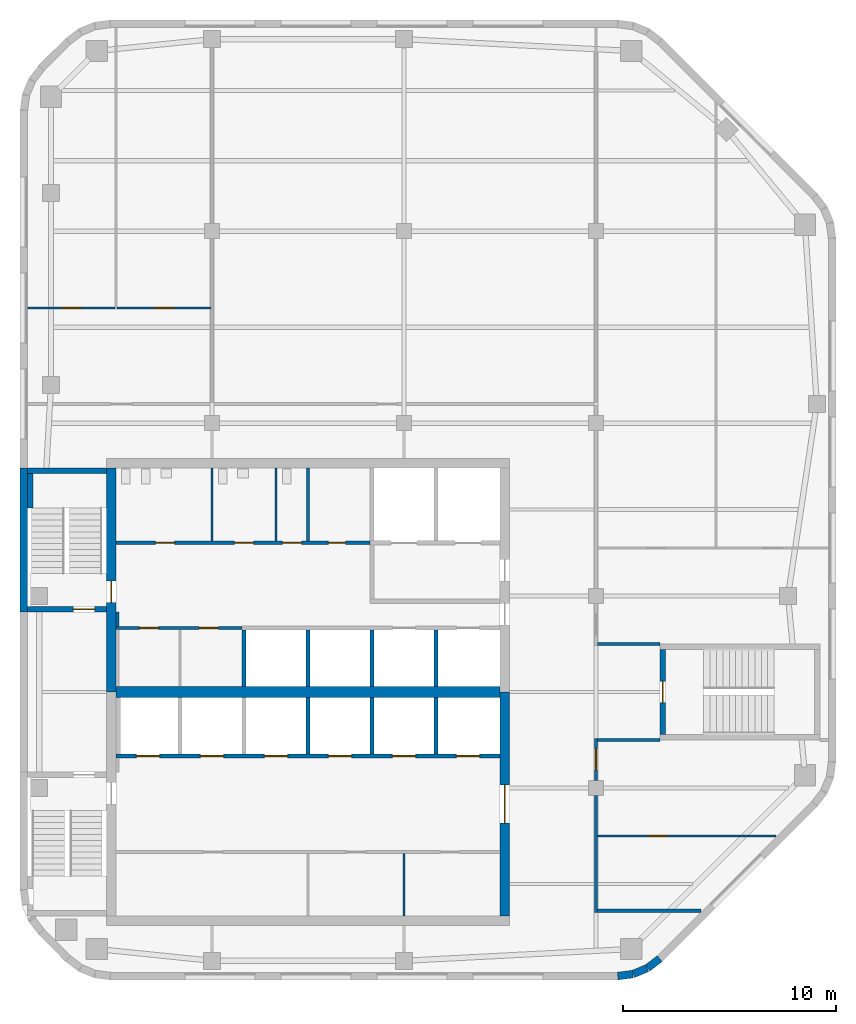
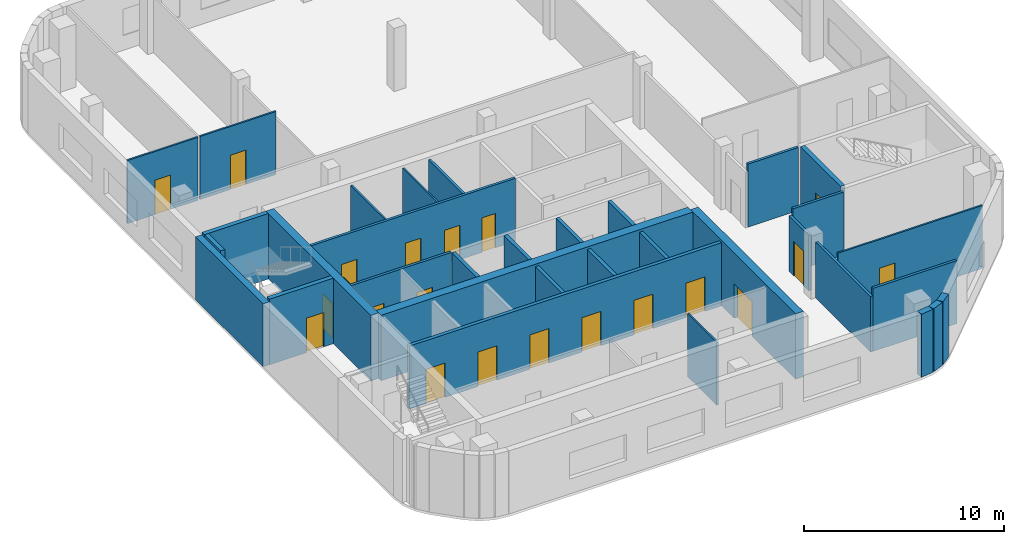
# One storey, part 3 of 7: 34 walls, 20 doors, 20 openings.
"""IFC4 building model written with IfcOpenShell, lengths in metres."""

from ifc_helpers import new_model, si_unit, direction, frame, frame_2d, origin, place, context, subcontext, project, spatial, rectangle, extrude, material, layer, layer_set, type_object, element, fill, save


model = new_model("IFC4")

# Units and contexts
model_context = context("Model", 3, precision=1e-05, world=origin(), true_north=direction((0.0, 1.0)))
body_context = subcontext(model_context, "Body", "Model", "MODEL_VIEW")
ifc_project = project(units=[si_unit("LENGTHUNIT", "METRE"), si_unit("AREAUNIT", "SQUARE_METRE"), si_unit("VOLUMEUNIT", "CUBIC_METRE"), si_unit("PLANEANGLEUNIT", "RADIAN"), si_unit("MASSUNIT", "GRAM", prefix="KILO")], contexts=[model_context])

# Site, building, storey
site_placement = place(None, origin())
site = spatial("IfcSite", under=ifc_project, at=site_placement, CompositionType="ELEMENT")
building_placement = place(site_placement, origin())
building = spatial("IfcBuilding", under=site, at=building_placement, Name="Cinnabar Reach Civic Tower", CompositionType="ELEMENT")
storey_placement = place(building_placement, frame((0.0, 0.0, 275.0)))
storey = spatial("IfcBuildingStorey", under=building, at=storey_placement, Name="L66", CompositionType="ELEMENT", Elevation=275.0)

# Walls
ifc_material_1 = material(Name="Facing brick with insulated backing", Category="masonry")
ifc_layer_1 = layer(ifc_material_1, 0.36)
ifc_layer_set_1 = layer_set([ifc_layer_1], Name="Brick corner wall")
wall_type_1 = type_object("IfcWallType", Name="Brick corner wall", PredefinedType="STANDARD", material=ifc_layer_set_1)
for number, where, z_axis, x_axis, name in (
    (1, (28.0186, 18.183, 0.0), (0.0, 0.0, 1.0), (0.99144092581, 0.13055608231, 0.0), "Brick corner wall"),
    (2, (28.7473, 18.2819, 0.0), (0.0, 0.0, 1.0), (0.923871547278, 0.382702709855, 0.0), "Brick corner wall"),
):
    element("IfcWall", number, at=place(storey_placement, frame(where, z_axis=z_axis, x_axis=x_axis)), inside=storey, type_object=wall_type_1, Name=name, PredefinedType="STANDARD", context=body_context, shape_type="SweptSolid", body=[
        extrude(rectangle(XDim=0.7131, YDim=0.36, at=frame_2d((0.3565, 0.0))), origin(), (0.0, 0.0, 1.0), 3.85),
    ])
wall_1_placement = place(storey_placement, frame((29.4255, 18.566, 0.0), z_axis=(0.0, 0.0, 1.0), x_axis=(0.793321924995, 0.608802368033, 0.0)))
element("IfcWall", 3, at=wall_1_placement, inside=storey, type_object=wall_type_1, Name="Brick corner wall", PredefinedType="STANDARD", context=body_context, shape_type="SweptSolid", body=[
    extrude(rectangle(XDim=0.7132, YDim=0.36, at=frame_2d((0.3566, 0.0))), origin(), (0.0, 0.0, 1.0), 3.85),
])
ifc_layer_2 = layer(ifc_material_1, 0.36)
ifc_layer_set_2 = layer_set([ifc_layer_2], Name="Brick pier and spandrel wall")
wall_type_2 = type_object("IfcWallType", Name="Brick pier and spandrel wall", PredefinedType="STANDARD", material=ifc_layer_set_2)
wall_2_placement = place(storey_placement, frame((0.18, 42.0, 0.0), z_axis=(0.0, 0.0, 1.0), x_axis=(0.0, -1.0, 0.0)))
element("IfcWall", 4, at=wall_2_placement, inside=storey, type_object=wall_type_2, Name="Brick facade wall", PredefinedType="STANDARD", context=body_context, shape_type="SweptSolid", body=[
    extrude(rectangle(XDim=6.75, YDim=0.36, at=frame_2d((3.375, 0.0))), origin(), (0.0, 0.0, 1.0), 3.85),
])

# Wall, opening, door
ifc_material_2 = material(Name="Concrete C60", Category="concrete")
ifc_layer_3 = layer(ifc_material_2, 0.45)
ifc_layer_set_3 = layer_set([ifc_layer_3], Name="Core wall 450 EI 180")
wall_type_3 = type_object("IfcWallType", Name="Core wall 450 EI 180", PredefinedType="SOLIDWALL", material=ifc_layer_set_3)
wall_3_placement = place(storey_placement, frame((22.725, 21.0, 0.0), z_axis=(0.0, 0.0, 1.0), x_axis=(0.0, 1.0, 0.0)))
wall_3 = element("IfcWall", 5, at=wall_3_placement, inside=storey, type_object=wall_type_3, Name="Core wall T1 L66 E", PredefinedType="SOLIDWALL", context=body_context, shape_type="SweptSolid", body=[
    extrude(rectangle(XDim=10.5, YDim=0.45, at=frame_2d((5.25, 0.0))), origin(), (0.0, 0.0, 1.0), 4.0),
])
opening_1_placement = place(wall_3_placement, frame((4.35, 0.0, 0.0)))
opening_1 = element("IfcOpeningElement", 6, at=opening_1_placement, cuts=wall_3, Name="Opening D5634", PredefinedType="OPENING", context=body_context, shape_type="SweptSolid", body=[
    extrude(rectangle(XDim=1.8, YDim=2.1, at=frame_2d((0.9, 1.05))), frame((0.0, 0.235, 0.0), z_axis=(0.0, -1.0, 0.0), x_axis=(1.0, 0.0, 0.0)), (0.0, 0.0, 1.0), 0.47),
])
ifc_material_3 = material(Name="Timber door leaf in steel frame", Category="steel")
door_type_1 = type_object("IfcDoorType", Name="Double swing door 1800 x 2100 T1", OperationType="DOUBLE_DOOR_DOUBLE_SWING", PredefinedType="DOOR", material=ifc_material_3)
door_1_placement = place(opening_1_placement, origin())
door_1 = element("IfcDoor", 7, at=door_1_placement, inside=storey, type_object=door_type_1, Name="Door D5634", OperationType="DOUBLE_DOOR_DOUBLE_SWING", OverallHeight=2.1, OverallWidth=1.8, PredefinedType="DOOR", context=body_context, shape_type="SweptSolid", body=[
    extrude(rectangle(XDim=1.8, YDim=2.1, at=frame_2d((0.9, 1.05))), frame((0.0, 0.025, 0.0), z_axis=(0.0, -1.0, 0.0), x_axis=(1.0, 0.0, 0.0)), (0.0, 0.0, 1.0), 0.05),
])
fill(opening_1, door_1)

wall_4_placement = place(storey_placement, frame((4.275, 42.0, 0.0), z_axis=(0.0, 0.0, 1.0), x_axis=(0.0, -1.0, 0.0)))
wall_4 = element("IfcWall", 8, at=wall_4_placement, inside=storey, type_object=wall_type_3, Name="Core wall T1 L66 W", PredefinedType="SOLIDWALL", context=body_context, shape_type="SweptSolid", body=[
    extrude(rectangle(XDim=10.5, YDim=0.45, at=frame_2d((5.25, 0.0))), origin(), (0.0, 0.0, 1.0), 4.0),
])
opening_2_placement = place(wall_4_placement, frame((5.3, 0.0, 0.0)))
opening_2 = element("IfcOpeningElement", 9, at=opening_2_placement, cuts=wall_4, Name="Opening D5622", PredefinedType="OPENING", context=body_context, shape_type="SweptSolid", body=[
    extrude(rectangle(XDim=1.0, YDim=2.1, at=frame_2d((0.5, 1.05))), frame((0.0, 0.235, 0.0), z_axis=(0.0, -1.0, 0.0), x_axis=(1.0, 0.0, 0.0)), (0.0, 0.0, 1.0), 0.47),
])
door_type_2 = type_object("IfcDoorType", Name="Stair door 1000 x 2100 T1", OperationType="SINGLE_SWING_LEFT", PredefinedType="DOOR", material=ifc_material_3)
door_2_placement = place(opening_2_placement, frame((1.0, 0.0, 0.0), z_axis=(0.0, 0.0, 1.0), x_axis=(-1.0, 0.0, 0.0)))
door_2 = element("IfcDoor", 10, at=door_2_placement, inside=storey, type_object=door_type_2, Name="Door D5622", OperationType="SINGLE_SWING_LEFT", OverallHeight=2.1, OverallWidth=1.0, PredefinedType="DOOR", context=body_context, shape_type="SweptSolid", body=[
    extrude(rectangle(XDim=1.0, YDim=2.1, at=frame_2d((0.5, 1.05))), frame((0.0, 0.025, 0.0), z_axis=(0.0, -1.0, 0.0), x_axis=(1.0, 0.0, 0.0)), (0.0, 0.0, 1.0), 0.05),
])
fill(opening_2, door_2)

# Wall
ifc_layer_4 = layer(ifc_material_2, 0.5)
ifc_layer_set_4 = layer_set([ifc_layer_4], Name="Core wall 500 EI 180")
wall_type_4 = type_object("IfcWallType", Name="Core wall 500 EI 180", PredefinedType="SOLIDWALL", material=ifc_layer_set_4)
wall_5_placement = place(storey_placement, frame((4.5, 31.5, 0.0), z_axis=(0.0, 0.0, 1.0), x_axis=(1.0, 0.0, 0.0)))
element("IfcWall", 11, at=wall_5_placement, inside=storey, type_object=wall_type_4, Name="Core spine wall T1 L66", PredefinedType="SOLIDWALL", context=body_context, shape_type="SweptSolid", body=[
    extrude(rectangle(XDim=18.0, YDim=0.5, at=frame_2d((9.0, 0.0))), origin(), (0.0, 0.0, 1.0), 4.0),
])

# Wall, openings, doors
ifc_material_4 = material(Name="Gypsum board on steel studs, double layer", Category="steel")
ifc_layer_5 = layer(ifc_material_4, 0.15)
ifc_layer_set_5 = layer_set([ifc_layer_5], Name="Corridor wall 150 T1")
wall_type_5 = type_object("IfcWallType", Name="Corridor wall 150 T1", PredefinedType="PARTITIONING", material=ifc_layer_set_5)
wall_6_placement = place(storey_placement, frame((4.5, 38.5, 0.0), z_axis=(0.0, 0.0, 1.0), x_axis=(1.0, 0.0, 0.0)))
wall_6 = element("IfcWall", 12, at=wall_6_placement, inside=storey, type_object=wall_type_5, Name="Corridor wall 20", PredefinedType="PARTITIONING", context=body_context, shape_type="SweptSolid", body=[
    extrude(rectangle(XDim=11.9, YDim=0.15, at=frame_2d((5.95, 0.0))), origin(), (0.0, 0.0, 1.0), 3.85),
])
opening_3_placement = place(wall_6_placement, frame((1.85, 0.0, 0.0)))
opening_3 = element("IfcOpeningElement", 13, at=opening_3_placement, cuts=wall_6, Name="Opening D5643", PredefinedType="OPENING", context=body_context, shape_type="SweptSolid", body=[
    extrude(rectangle(XDim=0.9, YDim=2.1, at=frame_2d((0.45, 1.05))), frame((0.0, 0.085, 0.0), z_axis=(0.0, -1.0, 0.0), x_axis=(1.0, 0.0, 0.0)), (0.0, 0.0, 1.0), 0.17),
])
opening_4_placement = place(wall_6_placement, frame((5.55, 0.0, 0.0)))
opening_4 = element("IfcOpeningElement", 14, at=opening_4_placement, cuts=wall_6, Name="Opening D5644", PredefinedType="OPENING", context=body_context, shape_type="SweptSolid", body=[
    extrude(rectangle(XDim=0.9, YDim=2.1, at=frame_2d((0.45, 1.05))), frame((0.0, 0.085, 0.0), z_axis=(0.0, -1.0, 0.0), x_axis=(1.0, 0.0, 0.0)), (0.0, 0.0, 1.0), 0.17),
])
opening_5_placement = place(wall_6_placement, frame((7.8, 0.0, 0.0)))
opening_5 = element("IfcOpeningElement", 15, at=opening_5_placement, cuts=wall_6, Name="Opening D5645", PredefinedType="OPENING", context=body_context, shape_type="SweptSolid", body=[
    extrude(rectangle(XDim=0.9, YDim=2.1, at=frame_2d((0.45, 1.05))), frame((0.0, 0.085, 0.0), z_axis=(0.0, -1.0, 0.0), x_axis=(1.0, 0.0, 0.0)), (0.0, 0.0, 1.0), 0.17),
])
opening_6_placement = place(wall_6_placement, frame((9.95, 0.0, 0.0)))
opening_6 = element("IfcOpeningElement", 16, at=opening_6_placement, cuts=wall_6, Name="Opening D5646", PredefinedType="OPENING", context=body_context, shape_type="SweptSolid", body=[
    extrude(rectangle(XDim=0.8, YDim=2.1, at=frame_2d((0.4, 1.05))), frame((0.0, 0.085, 0.0), z_axis=(0.0, -1.0, 0.0), x_axis=(1.0, 0.0, 0.0)), (0.0, 0.0, 1.0), 0.17),
])
door_type_3 = type_object("IfcDoorType", Name="Riser access door 800 x 2100 T1", OperationType="SINGLE_SWING_LEFT", PredefinedType="DOOR", material=ifc_material_3)
door_3_placement = place(opening_6_placement, origin())
door_3 = element("IfcDoor", 17, at=door_3_placement, inside=storey, type_object=door_type_3, Name="Door D5646", OperationType="SINGLE_SWING_LEFT", OverallHeight=2.1, OverallWidth=0.8, PredefinedType="DOOR", context=body_context, shape_type="SweptSolid", body=[
    extrude(rectangle(XDim=0.8, YDim=2.1, at=frame_2d((0.4, 1.05))), frame((0.0, 0.025, 0.0), z_axis=(0.0, -1.0, 0.0), x_axis=(1.0, 0.0, 0.0)), (0.0, 0.0, 1.0), 0.05),
])
fill(opening_6, door_3)
door_type_4 = type_object("IfcDoorType", Name="Single swing door 900 x 2100 corridor T1", OperationType="SINGLE_SWING_LEFT", PredefinedType="DOOR", material=ifc_material_3)
door_4_placement = place(opening_3_placement, origin())
door_4 = element("IfcDoor", 18, at=door_4_placement, inside=storey, type_object=door_type_4, Name="Door D5643", OperationType="SINGLE_SWING_RIGHT", OverallHeight=2.1, OverallWidth=0.9, PredefinedType="DOOR", context=body_context, shape_type="SweptSolid", body=[
    extrude(rectangle(XDim=0.9, YDim=2.1, at=frame_2d((0.45, 1.05))), frame((0.0, 0.025, 0.0), z_axis=(0.0, -1.0, 0.0), x_axis=(1.0, 0.0, 0.0)), (0.0, 0.0, 1.0), 0.05),
])
fill(opening_3, door_4)
door_5_placement = place(opening_4_placement, origin())
door_5 = element("IfcDoor", 19, at=door_5_placement, inside=storey, type_object=door_type_4, Name="Door D5644", OperationType="SINGLE_SWING_LEFT", OverallHeight=2.1, OverallWidth=0.9, PredefinedType="DOOR", context=body_context, shape_type="SweptSolid", body=[
    extrude(rectangle(XDim=0.9, YDim=2.1, at=frame_2d((0.45, 1.05))), frame((0.0, 0.025, 0.0), z_axis=(0.0, -1.0, 0.0), x_axis=(1.0, 0.0, 0.0)), (0.0, 0.0, 1.0), 0.05),
])
fill(opening_4, door_5)
door_6_placement = place(opening_5_placement, origin())
door_6 = element("IfcDoor", 20, at=door_6_placement, inside=storey, type_object=door_type_4, Name="Door D5645", OperationType="SINGLE_SWING_RIGHT", OverallHeight=2.1, OverallWidth=0.9, PredefinedType="DOOR", context=body_context, shape_type="SweptSolid", body=[
    extrude(rectangle(XDim=0.9, YDim=2.1, at=frame_2d((0.45, 1.05))), frame((0.0, 0.025, 0.0), z_axis=(0.0, -1.0, 0.0), x_axis=(1.0, 0.0, 0.0)), (0.0, 0.0, 1.0), 0.05),
])
fill(opening_5, door_6)

# Wall
wall_7_placement = place(storey_placement, frame((27.0, 21.175, 0.0), z_axis=(0.0, 0.0, 1.0), x_axis=(0.0, 1.0, 0.0)))
element("IfcWall", 21, at=wall_7_placement, inside=storey, type_object=wall_type_5, Name="Corridor wall 24", PredefinedType="PARTITIONING", context=body_context, shape_type="SweptSolid", body=[
    extrude(rectangle(XDim=5.475, YDim=0.15, at=frame_2d((2.7375, 0.0))), origin(), (0.0, 0.0, 1.0), 3.4),
])

# Wall, opening, door
wall_8_placement = place(storey_placement, frame((27.0, 27.35, 0.0), z_axis=(0.0, 0.0, 1.0), x_axis=(0.0, 1.0, 0.0)))
wall_8 = element("IfcWall", 22, at=wall_8_placement, inside=storey, type_object=wall_type_5, Name="Corridor wall 25", PredefinedType="PARTITIONING", context=body_context, shape_type="SweptSolid", body=[
    extrude(rectangle(XDim=1.975, YDim=0.15, at=frame_2d((0.9875, 0.0))), origin(), (0.0, 0.0, 1.0), 3.4),
])
opening_7_placement = place(wall_8_placement, frame((0.5, 0.0, 0.0)))
opening_7 = element("IfcOpeningElement", 23, at=opening_7_placement, cuts=wall_8, Name="Opening D5650", PredefinedType="OPENING", context=body_context, shape_type="SweptSolid", body=[
    extrude(rectangle(XDim=1.0, YDim=2.1, at=frame_2d((0.5, 1.05))), frame((0.0, 0.085, 0.0), z_axis=(0.0, -1.0, 0.0), x_axis=(1.0, 0.0, 0.0)), (0.0, 0.0, 1.0), 0.17),
])
door_type_5 = type_object("IfcDoorType", Name="Tenancy entrance door 1000 x 2100 T1", OperationType="SINGLE_SWING_LEFT", PredefinedType="DOOR", material=ifc_material_3)
door_7_placement = place(opening_7_placement, frame((1.0, 0.0, 0.0), z_axis=(0.0, 0.0, 1.0), x_axis=(-1.0, 0.0, 0.0)))
door_7 = element("IfcDoor", 24, at=door_7_placement, inside=storey, type_object=door_type_5, Name="Door D5650", OperationType="SINGLE_SWING_LEFT", OverallHeight=2.1, OverallWidth=1.0, PredefinedType="DOOR", context=body_context, shape_type="SweptSolid", body=[
    extrude(rectangle(XDim=1.0, YDim=2.1, at=frame_2d((0.5, 1.05))), frame((0.0, 0.025, 0.0), z_axis=(0.0, -1.0, 0.0), x_axis=(1.0, 0.0, 0.0)), (0.0, 0.0, 1.0), 0.05),
])
fill(opening_7, door_7)

# Wall, openings, doors
wall_9_placement = place(storey_placement, frame((4.5, 34.5, 0.0), z_axis=(0.0, 0.0, 1.0), x_axis=(1.0, 0.0, 0.0)))
wall_9 = element("IfcWall", 25, at=wall_9_placement, inside=storey, type_object=wall_type_5, Name="Corridor wall 26", PredefinedType="PARTITIONING", context=body_context, shape_type="SweptSolid", body=[
    extrude(rectangle(XDim=5.9, YDim=0.15, at=frame_2d((2.95, 0.0))), origin(), (0.0, 0.0, 1.0), 3.85),
])
opening_8_placement = place(wall_9_placement, frame((1.1, 0.0, 0.0)))
opening_8 = element("IfcOpeningElement", 26, at=opening_8_placement, cuts=wall_9, Name="Opening D5641", PredefinedType="OPENING", context=body_context, shape_type="SweptSolid", body=[
    extrude(rectangle(XDim=0.9, YDim=2.1, at=frame_2d((0.45, 1.05))), frame((0.0, 0.085, 0.0), z_axis=(0.0, -1.0, 0.0), x_axis=(1.0, 0.0, 0.0)), (0.0, 0.0, 1.0), 0.17),
])
opening_9_placement = place(wall_9_placement, frame((3.9, 0.0, 0.0)))
opening_9 = element("IfcOpeningElement", 27, at=opening_9_placement, cuts=wall_9, Name="Opening D5642", PredefinedType="OPENING", context=body_context, shape_type="SweptSolid", body=[
    extrude(rectangle(XDim=0.9, YDim=2.1, at=frame_2d((0.45, 1.05))), frame((0.0, 0.085, 0.0), z_axis=(0.0, -1.0, 0.0), x_axis=(1.0, 0.0, 0.0)), (0.0, 0.0, 1.0), 0.17),
])
door_8_placement = place(opening_8_placement, frame((0.9, 0.0, 0.0), z_axis=(0.0, 0.0, 1.0), x_axis=(-1.0, 0.0, 0.0)))
door_8 = element("IfcDoor", 28, at=door_8_placement, inside=storey, type_object=door_type_4, Name="Door D5641", OperationType="SINGLE_SWING_LEFT", OverallHeight=2.1, OverallWidth=0.9, PredefinedType="DOOR", context=body_context, shape_type="SweptSolid", body=[
    extrude(rectangle(XDim=0.9, YDim=2.1, at=frame_2d((0.45, 1.05))), frame((0.0, 0.025, 0.0), z_axis=(0.0, -1.0, 0.0), x_axis=(1.0, 0.0, 0.0)), (0.0, 0.0, 1.0), 0.05),
])
fill(opening_8, door_8)
door_9_placement = place(opening_9_placement, frame((0.9, 0.0, 0.0), z_axis=(0.0, 0.0, 1.0), x_axis=(-1.0, 0.0, 0.0)))
door_9 = element("IfcDoor", 29, at=door_9_placement, inside=storey, type_object=door_type_4, Name="Door D5642", OperationType="SINGLE_SWING_LEFT", OverallHeight=2.1, OverallWidth=0.9, PredefinedType="DOOR", context=body_context, shape_type="SweptSolid", body=[
    extrude(rectangle(XDim=0.9, YDim=2.1, at=frame_2d((0.45, 1.05))), frame((0.0, 0.025, 0.0), z_axis=(0.0, -1.0, 0.0), x_axis=(1.0, 0.0, 0.0)), (0.0, 0.0, 1.0), 0.05),
])
fill(opening_9, door_9)

# Walls
wall_10_placement = place(storey_placement, frame((27.075, 21.25, 0.0), z_axis=(0.0, 0.0, 1.0), x_axis=(1.0, 0.0, 0.0)))
element("IfcWall", 30, at=wall_10_placement, inside=storey, type_object=wall_type_5, Name="Corridor wall 27", PredefinedType="PARTITIONING", context=body_context, shape_type="SweptSolid", body=[
    extrude(rectangle(XDim=4.841, YDim=0.15, at=frame_2d((2.4205, 0.0))), origin(), (0.0, 0.0, 1.0), 3.85),
])
wall_11_placement = place(storey_placement, frame((4.575, 34.575, 0.0), z_axis=(0.0, 0.0, 1.0), x_axis=(0.0, 1.0, 0.0)))
element("IfcWall", 31, at=wall_11_placement, inside=storey, type_object=wall_type_5, Name="Corridor wall 28", PredefinedType="PARTITIONING", context=body_context, shape_type="SweptSolid", body=[
    extrude(rectangle(XDim=0.675, YDim=0.15, at=frame_2d((0.3375, 0.0))), origin(), (0.0, 0.0, 1.0), 3.85),
])
for number, where, z_axis, x_axis, name in (
    (32, (27.075, 29.25, 0.0), (0.0, 0.0, 1.0), (1.0, 0.0, 0.0), "Corridor wall 30"),
    (33, (27.075, 33.75, 0.0), (0.0, 0.0, 1.0), (1.0, 0.0, 0.0), "Corridor wall 31"),
):
    element("IfcWall", number, at=place(storey_placement, frame(where, z_axis=z_axis, x_axis=x_axis)), inside=storey, type_object=wall_type_5, Name=name, PredefinedType="PARTITIONING", context=body_context, shape_type="SweptSolid", body=[
        extrude(rectangle(XDim=2.925, YDim=0.15, at=frame_2d((1.4625, 0.0))), origin(), (0.0, 0.0, 1.0), 3.85),
    ])

# Wall, openings, doors
ifc_material_5 = material(Name="Blockwork", Category="masonry")
ifc_layer_6 = layer(ifc_material_5, 0.2)
ifc_layer_set_6 = layer_set([ifc_layer_6], Name="Lift shaft wall 200 T1")
wall_type_6 = type_object("IfcWallType", Name="Lift shaft wall 200 T1", PredefinedType="PARTITIONING", material=ifc_layer_set_6)
wall_12_placement = place(storey_placement, frame((4.5, 28.5, 0.0), z_axis=(0.0, 0.0, 1.0), x_axis=(1.0, 0.0, 0.0)))
wall_12 = element("IfcWall", 34, at=wall_12_placement, inside=storey, type_object=wall_type_6, Name="Lift shaft wall 4", PredefinedType="PARTITIONING", context=body_context, shape_type="SweptSolid", body=[
    extrude(rectangle(XDim=18.0, YDim=0.2, at=frame_2d((9.0, 0.0))), origin(), (0.0, 0.0, 1.0), 3.85),
])
opening_10_placement = place(wall_12_placement, frame((0.95, 0.0, 0.0)))
opening_10 = element("IfcOpeningElement", 35, at=opening_10_placement, cuts=wall_12, Name="Opening D5624", PredefinedType="OPENING", context=body_context, shape_type="SweptSolid", body=[
    extrude(rectangle(XDim=1.1, YDim=2.1, at=frame_2d((0.55, 1.05))), frame((0.0, 0.11, 0.0), z_axis=(0.0, -1.0, 0.0), x_axis=(1.0, 0.0, 0.0)), (0.0, 0.0, 1.0), 0.22),
])
opening_11_placement = place(wall_12_placement, frame((3.95, 0.0, 0.0)))
opening_11 = element("IfcOpeningElement", 36, at=opening_11_placement, cuts=wall_12, Name="Opening D5625", PredefinedType="OPENING", context=body_context, shape_type="SweptSolid", body=[
    extrude(rectangle(XDim=1.1, YDim=2.1, at=frame_2d((0.55, 1.05))), frame((0.0, 0.11, 0.0), z_axis=(0.0, -1.0, 0.0), x_axis=(1.0, 0.0, 0.0)), (0.0, 0.0, 1.0), 0.22),
])
opening_12_placement = place(wall_12_placement, frame((6.95, 0.0, 0.0)))
opening_12 = element("IfcOpeningElement", 37, at=opening_12_placement, cuts=wall_12, Name="Opening D5626", PredefinedType="OPENING", context=body_context, shape_type="SweptSolid", body=[
    extrude(rectangle(XDim=1.1, YDim=2.1, at=frame_2d((0.55, 1.05))), frame((0.0, 0.11, 0.0), z_axis=(0.0, -1.0, 0.0), x_axis=(1.0, 0.0, 0.0)), (0.0, 0.0, 1.0), 0.22),
])
opening_13_placement = place(wall_12_placement, frame((9.95, 0.0, 0.0)))
opening_13 = element("IfcOpeningElement", 38, at=opening_13_placement, cuts=wall_12, Name="Opening D5627", PredefinedType="OPENING", context=body_context, shape_type="SweptSolid", body=[
    extrude(rectangle(XDim=1.1, YDim=2.1, at=frame_2d((0.55, 1.05))), frame((0.0, 0.11, 0.0), z_axis=(0.0, -1.0, 0.0), x_axis=(1.0, 0.0, 0.0)), (0.0, 0.0, 1.0), 0.22),
])
opening_14_placement = place(wall_12_placement, frame((12.95, 0.0, 0.0)))
opening_14 = element("IfcOpeningElement", 39, at=opening_14_placement, cuts=wall_12, Name="Opening D5628", PredefinedType="OPENING", context=body_context, shape_type="SweptSolid", body=[
    extrude(rectangle(XDim=1.1, YDim=2.1, at=frame_2d((0.55, 1.05))), frame((0.0, 0.11, 0.0), z_axis=(0.0, -1.0, 0.0), x_axis=(1.0, 0.0, 0.0)), (0.0, 0.0, 1.0), 0.22),
])
opening_15_placement = place(wall_12_placement, frame((15.95, 0.0, 0.0)))
opening_15 = element("IfcOpeningElement", 40, at=opening_15_placement, cuts=wall_12, Name="Opening D5629", PredefinedType="OPENING", context=body_context, shape_type="SweptSolid", body=[
    extrude(rectangle(XDim=1.1, YDim=2.1, at=frame_2d((0.55, 1.05))), frame((0.0, 0.11, 0.0), z_axis=(0.0, -1.0, 0.0), x_axis=(1.0, 0.0, 0.0)), (0.0, 0.0, 1.0), 0.22),
])
ifc_material_6 = material(Name="Stainless steel sliding door", Category="steel")
door_type_6 = type_object("IfcDoorType", Name="Lift landing door 1100 x 2100 T1", OperationType="SLIDING_TO_LEFT", PredefinedType="DOOR", material=ifc_material_6)
door_10_placement = place(opening_10_placement, origin())
door_10 = element("IfcDoor", 41, at=door_10_placement, inside=storey, type_object=door_type_6, Name="Lift landing door HR1 L66", OperationType="SLIDING_TO_LEFT", OverallHeight=2.1, OverallWidth=1.1, PredefinedType="DOOR", context=body_context, shape_type="SweptSolid", body=[
    extrude(rectangle(XDim=1.1, YDim=2.1, at=frame_2d((0.55, 1.05))), frame((0.0, 0.025, 0.0), z_axis=(0.0, -1.0, 0.0), x_axis=(1.0, 0.0, 0.0)), (0.0, 0.0, 1.0), 0.05),
])
fill(opening_10, door_10)
door_11_placement = place(opening_11_placement, origin())
door_11 = element("IfcDoor", 42, at=door_11_placement, inside=storey, type_object=door_type_6, Name="Lift landing door HR2 L66", OperationType="SLIDING_TO_LEFT", OverallHeight=2.1, OverallWidth=1.1, PredefinedType="DOOR", context=body_context, shape_type="SweptSolid", body=[
    extrude(rectangle(XDim=1.1, YDim=2.1, at=frame_2d((0.55, 1.05))), frame((0.0, 0.025, 0.0), z_axis=(0.0, -1.0, 0.0), x_axis=(1.0, 0.0, 0.0)), (0.0, 0.0, 1.0), 0.05),
])
fill(opening_11, door_11)
door_12_placement = place(opening_12_placement, origin())
door_12 = element("IfcDoor", 43, at=door_12_placement, inside=storey, type_object=door_type_6, Name="Lift landing door HR3 L66", OperationType="SLIDING_TO_LEFT", OverallHeight=2.1, OverallWidth=1.1, PredefinedType="DOOR", context=body_context, shape_type="SweptSolid", body=[
    extrude(rectangle(XDim=1.1, YDim=2.1, at=frame_2d((0.55, 1.05))), frame((0.0, 0.025, 0.0), z_axis=(0.0, -1.0, 0.0), x_axis=(1.0, 0.0, 0.0)), (0.0, 0.0, 1.0), 0.05),
])
fill(opening_12, door_12)
door_13_placement = place(opening_13_placement, origin())
door_13 = element("IfcDoor", 44, at=door_13_placement, inside=storey, type_object=door_type_6, Name="Lift landing door HR4 L66", OperationType="SLIDING_TO_LEFT", OverallHeight=2.1, OverallWidth=1.1, PredefinedType="DOOR", context=body_context, shape_type="SweptSolid", body=[
    extrude(rectangle(XDim=1.1, YDim=2.1, at=frame_2d((0.55, 1.05))), frame((0.0, 0.025, 0.0), z_axis=(0.0, -1.0, 0.0), x_axis=(1.0, 0.0, 0.0)), (0.0, 0.0, 1.0), 0.05),
])
fill(opening_13, door_13)
door_14_placement = place(opening_14_placement, origin())
door_14 = element("IfcDoor", 45, at=door_14_placement, inside=storey, type_object=door_type_6, Name="Lift landing door HR5 L66", OperationType="SLIDING_TO_LEFT", OverallHeight=2.1, OverallWidth=1.1, PredefinedType="DOOR", context=body_context, shape_type="SweptSolid", body=[
    extrude(rectangle(XDim=1.1, YDim=2.1, at=frame_2d((0.55, 1.05))), frame((0.0, 0.025, 0.0), z_axis=(0.0, -1.0, 0.0), x_axis=(1.0, 0.0, 0.0)), (0.0, 0.0, 1.0), 0.05),
])
fill(opening_14, door_14)
door_15_placement = place(opening_15_placement, origin())
door_15 = element("IfcDoor", 46, at=door_15_placement, inside=storey, type_object=door_type_6, Name="Lift landing door HR6 L66", OperationType="SLIDING_TO_LEFT", OverallHeight=2.1, OverallWidth=1.1, PredefinedType="DOOR", context=body_context, shape_type="SweptSolid", body=[
    extrude(rectangle(XDim=1.1, YDim=2.1, at=frame_2d((0.55, 1.05))), frame((0.0, 0.025, 0.0), z_axis=(0.0, -1.0, 0.0), x_axis=(1.0, 0.0, 0.0)), (0.0, 0.0, 1.0), 0.05),
])
fill(opening_15, door_15)

# Walls
for number, where, z_axis, x_axis, name in (
    (47, (10.5, 31.75, 0.0), (0.0, 0.0, 1.0), (0.0, 1.0, 0.0), "Lift shaft wall 7"),
    (48, (13.5, 28.6, 0.0), (0.0, 0.0, 1.0), (0.0, 1.0, 0.0), "Lift shaft wall 8"),
    (49, (13.5, 31.75, 0.0), (0.0, 0.0, 1.0), (0.0, 1.0, 0.0), "Lift shaft wall 9"),
    (50, (16.5, 28.6, 0.0), (0.0, 0.0, 1.0), (0.0, 1.0, 0.0), "Lift shaft wall 10"),
    (51, (16.5, 31.75, 0.0), (0.0, 0.0, 1.0), (0.0, 1.0, 0.0), "Lift shaft wall 11"),
    (52, (19.5, 28.6, 0.0), (0.0, 0.0, 1.0), (0.0, 1.0, 0.0), "Lift shaft wall 12"),
    (53, (19.5, 31.75, 0.0), (0.0, 0.0, 1.0), (0.0, 1.0, 0.0), "Lift shaft wall 13"),
):
    element("IfcWall", number, at=place(storey_placement, frame(where, z_axis=z_axis, x_axis=x_axis)), inside=storey, type_object=wall_type_6, Name=name, PredefinedType="PARTITIONING", context=body_context, shape_type="SweptSolid", body=[
        extrude(rectangle(XDim=2.65, YDim=0.2, at=frame_2d((1.325, 0.0))), origin(), (0.0, 0.0, 1.0), 3.85),
    ])

# Wall, opening, door
ifc_material_7 = material(Name="Gypsum board on steel studs", Category="steel")
ifc_layer_7 = layer(ifc_material_7, 0.1)
ifc_layer_set_7 = layer_set([ifc_layer_7], Name="Partition wall 100 T1")
wall_type_7 = type_object("IfcWallType", Name="Partition wall 100 T1", PredefinedType="PARTITIONING", material=ifc_layer_set_7)
wall_13_placement = place(storey_placement, frame((4.55, 49.5, 0.0), z_axis=(0.0, 0.0, 1.0), x_axis=(1.0, 0.0, 0.0)))
wall_13 = element("IfcWall", 54, at=wall_13_placement, inside=storey, type_object=wall_type_7, Name="Partition wall 43", PredefinedType="PARTITIONING", context=body_context, shape_type="SweptSolid", body=[
    extrude(rectangle(XDim=4.4, YDim=0.1, at=frame_2d((2.2, 0.0))), origin(), (0.0, 0.0, 1.0), 3.85),
])
opening_16_placement = place(wall_13_placement, frame((1.75, 0.0, 0.0)))
opening_16 = element("IfcOpeningElement", 55, at=opening_16_placement, cuts=wall_13, Name="Opening D5654", PredefinedType="OPENING", context=body_context, shape_type="SweptSolid", body=[
    extrude(rectangle(XDim=0.9, YDim=2.1, at=frame_2d((0.45, 1.05))), frame((0.0, 0.06, 0.0), z_axis=(0.0, -1.0, 0.0), x_axis=(1.0, 0.0, 0.0)), (0.0, 0.0, 1.0), 0.12),
])
door_type_7 = type_object("IfcDoorType", Name="Single swing door 900 x 2100 T1", OperationType="SINGLE_SWING_LEFT", PredefinedType="DOOR", material=ifc_material_3)
door_16_placement = place(opening_16_placement, frame((0.9, 0.0, 0.0), z_axis=(0.0, 0.0, 1.0), x_axis=(-1.0, 0.0, 0.0)))
door_16 = element("IfcDoor", 56, at=door_16_placement, inside=storey, type_object=door_type_7, Name="Door D5654", OperationType="SINGLE_SWING_LEFT", OverallHeight=2.1, OverallWidth=0.9, PredefinedType="DOOR", context=body_context, shape_type="SweptSolid", body=[
    extrude(rectangle(XDim=0.9, YDim=2.1, at=frame_2d((0.45, 1.05))), frame((0.0, 0.025, 0.0), z_axis=(0.0, -1.0, 0.0), x_axis=(1.0, 0.0, 0.0)), (0.0, 0.0, 1.0), 0.05),
])
fill(opening_16, door_16)

wall_14_placement = place(storey_placement, frame((0.36, 49.5, 0.0), z_axis=(0.0, 0.0, 1.0), x_axis=(1.0, 0.0, 0.0)))
wall_14 = element("IfcWall", 57, at=wall_14_placement, inside=storey, type_object=wall_type_7, Name="Partition wall 44", PredefinedType="PARTITIONING", context=body_context, shape_type="SweptSolid", body=[
    extrude(rectangle(XDim=4.09, YDim=0.1, at=frame_2d((2.045, 0.0))), origin(), (0.0, 0.0, 1.0), 3.85),
])
opening_17_placement = place(wall_14_placement, frame((1.6, 0.0, 0.0)))
opening_17 = element("IfcOpeningElement", 58, at=opening_17_placement, cuts=wall_14, Name="Opening D5653", PredefinedType="OPENING", context=body_context, shape_type="SweptSolid", body=[
    extrude(rectangle(XDim=0.9, YDim=2.1, at=frame_2d((0.45, 1.05))), frame((0.0, 0.06, 0.0), z_axis=(0.0, -1.0, 0.0), x_axis=(1.0, 0.0, 0.0)), (0.0, 0.0, 1.0), 0.12),
])
door_17_placement = place(opening_17_placement, frame((0.9, 0.0, 0.0), z_axis=(0.0, 0.0, 1.0), x_axis=(-1.0, 0.0, 0.0)))
door_17 = element("IfcDoor", 59, at=door_17_placement, inside=storey, type_object=door_type_7, Name="Door D5653", OperationType="SINGLE_SWING_LEFT", OverallHeight=2.1, OverallWidth=0.9, PredefinedType="DOOR", context=body_context, shape_type="SweptSolid", body=[
    extrude(rectangle(XDim=0.9, YDim=2.1, at=frame_2d((0.45, 1.05))), frame((0.0, 0.025, 0.0), z_axis=(0.0, -1.0, 0.0), x_axis=(1.0, 0.0, 0.0)), (0.0, 0.0, 1.0), 0.05),
])
fill(opening_17, door_17)

wall_15_placement = place(storey_placement, frame((27.075, 24.75, 0.0), z_axis=(0.0, 0.0, 1.0), x_axis=(1.0, 0.0, 0.0)))
wall_15 = element("IfcWall", 60, at=wall_15_placement, inside=storey, type_object=wall_type_7, Name="Partition wall 45", PredefinedType="PARTITIONING", context=body_context, shape_type="SweptSolid", body=[
    extrude(rectangle(XDim=8.3659, YDim=0.1, at=frame_2d((4.1829, 0.0))), origin(), (0.0, 0.0, 1.0), 3.85),
])
opening_18_placement = place(wall_15_placement, frame((2.4, 0.0, 0.0)))
opening_18 = element("IfcOpeningElement", 61, at=opening_18_placement, cuts=wall_15, Name="Opening D5651", PredefinedType="OPENING", context=body_context, shape_type="SweptSolid", body=[
    extrude(rectangle(XDim=0.9, YDim=2.1, at=frame_2d((0.45, 1.05))), frame((0.0, 0.06, 0.0), z_axis=(0.0, -1.0, 0.0), x_axis=(1.0, 0.0, 0.0)), (0.0, 0.0, 1.0), 0.12),
])
door_18_placement = place(opening_18_placement, frame((0.9, 0.0, 0.0), z_axis=(0.0, 0.0, 1.0), x_axis=(-1.0, 0.0, 0.0)))
door_18 = element("IfcDoor", 62, at=door_18_placement, inside=storey, type_object=door_type_7, Name="Door D5651", OperationType="SINGLE_SWING_RIGHT", OverallHeight=2.1, OverallWidth=0.9, PredefinedType="DOOR", context=body_context, shape_type="SweptSolid", body=[
    extrude(rectangle(XDim=0.9, YDim=2.1, at=frame_2d((0.45, 1.05))), frame((0.0, 0.025, 0.0), z_axis=(0.0, -1.0, 0.0), x_axis=(1.0, 0.0, 0.0)), (0.0, 0.0, 1.0), 0.05),
])
fill(opening_18, door_18)

# Walls
for number, where, z_axis, x_axis, name in (
    (63, (9.0, 38.575, 0.0), (0.0, 0.0, 1.0), (0.0, 1.0, 0.0), "Partition wall 46"),
    (64, (12.0, 38.575, 0.0), (0.0, 0.0, 1.0), (0.0, 1.0, 0.0), "Partition wall 47"),
):
    element("IfcWall", number, at=place(storey_placement, frame(where, z_axis=z_axis, x_axis=x_axis)), inside=storey, type_object=wall_type_7, Name=name, PredefinedType="PARTITIONING", context=body_context, shape_type="SweptSolid", body=[
        extrude(rectangle(XDim=3.425, YDim=0.1, at=frame_2d((1.7125, 0.0))), origin(), (0.0, 0.0, 1.0), 3.85),
    ])
wall_16_placement = place(storey_placement, frame((18.0, 21.0, 0.0), z_axis=(0.0, 0.0, 1.0), x_axis=(0.0, 1.0, 0.0)))
element("IfcWall", 65, at=wall_16_placement, inside=storey, type_object=wall_type_7, Name="Partition wall 50", PredefinedType="PARTITIONING", context=body_context, shape_type="SweptSolid", body=[
    extrude(rectangle(XDim=2.925, YDim=0.1, at=frame_2d((1.4625, 0.0))), origin(), (0.0, 0.0, 1.0), 3.85),
])
ifc_layer_8 = layer(ifc_material_5, 0.15)
ifc_layer_set_8 = layer_set([ifc_layer_8], Name="Riser wall 150 T1")
wall_type_8 = type_object("IfcWallType", Name="Riser wall 150 T1", PredefinedType="PARTITIONING", material=ifc_layer_set_8)
wall_17_placement = place(storey_placement, frame((13.5, 38.575, 0.0), z_axis=(0.0, 0.0, 1.0), x_axis=(0.0, 1.0, 0.0)))
element("IfcWall", 66, at=wall_17_placement, inside=storey, type_object=wall_type_8, Name="Riser wall 33", PredefinedType="PARTITIONING", context=body_context, shape_type="SweptSolid", body=[
    extrude(rectangle(XDim=3.425, YDim=0.15, at=frame_2d((1.7125, 0.0))), origin(), (0.0, 0.0, 1.0), 3.85),
])

# Wall, opening, door
ifc_layer_9 = layer(ifc_material_2, 0.25)
ifc_layer_set_9 = layer_set([ifc_layer_9], Name="Stair shaft wall 250 EI 120")
wall_type_9 = type_object("IfcWallType", Name="Stair shaft wall 250 EI 120", PredefinedType="SOLIDWALL", material=ifc_layer_set_9)
wall_18_placement = place(storey_placement, frame((0.36, 35.375, 0.0), z_axis=(0.0, 0.0, 1.0), x_axis=(1.0, 0.0, 0.0)))
wall_18 = element("IfcWall", 67, at=wall_18_placement, inside=storey, type_object=wall_type_9, Name="Stair shaft wall T1-S2 L66", PredefinedType="SOLIDWALL", context=body_context, shape_type="SweptSolid", body=[
    extrude(rectangle(XDim=3.69, YDim=0.25, at=frame_2d((1.845, 0.0))), origin(), (0.0, 0.0, 1.0), 4.0),
])
opening_19_placement = place(wall_18_placement, frame((2.14, 0.0, 0.0)))
opening_19 = element("IfcOpeningElement", 68, at=opening_19_placement, cuts=wall_18, Name="Opening D5623", PredefinedType="OPENING", context=body_context, shape_type="SweptSolid", body=[
    extrude(rectangle(XDim=1.0, YDim=2.1, at=frame_2d((0.5, 1.05))), frame((0.0, 0.135, 0.0), z_axis=(0.0, -1.0, 0.0), x_axis=(1.0, 0.0, 0.0)), (0.0, 0.0, 1.0), 0.27),
])
door_19_placement = place(opening_19_placement, origin())
door_19 = element("IfcDoor", 69, at=door_19_placement, inside=storey, type_object=door_type_2, Name="Door D5623", OperationType="SINGLE_SWING_RIGHT", OverallHeight=2.1, OverallWidth=1.0, PredefinedType="DOOR", context=body_context, shape_type="SweptSolid", body=[
    extrude(rectangle(XDim=1.0, YDim=2.1, at=frame_2d((0.5, 1.05))), frame((0.0, 0.025, 0.0), z_axis=(0.0, -1.0, 0.0), x_axis=(1.0, 0.0, 0.0)), (0.0, 0.0, 1.0), 0.05),
])
fill(opening_19, door_19)

# Wall
wall_19_placement = place(storey_placement, frame((4.05, 41.875, 0.0), z_axis=(0.0, 0.0, 1.0), x_axis=(-1.0, 0.0, 0.0)))
element("IfcWall", 70, at=wall_19_placement, inside=storey, type_object=wall_type_9, Name="Stair shaft wall T1-S2 L66", PredefinedType="SOLIDWALL", context=body_context, shape_type="SweptSolid", body=[
    extrude(rectangle(XDim=3.69, YDim=0.25, at=frame_2d((1.845, 0.0))), origin(), (0.0, 0.0, 1.0), 4.0),
])

# Wall, opening, door
wall_20_placement = place(storey_placement, frame((30.125, 33.5, 0.0), z_axis=(0.0, 0.0, 1.0), x_axis=(0.0, -1.0, 0.0)))
wall_20 = element("IfcWall", 71, at=wall_20_placement, inside=storey, type_object=wall_type_9, Name="Stair shaft wall T1-S3 L66", PredefinedType="SOLIDWALL", context=body_context, shape_type="SweptSolid", body=[
    extrude(rectangle(XDim=4.0, YDim=0.25, at=frame_2d((2.0, 0.0))), origin(), (0.0, 0.0, 1.0), 4.0),
])
opening_20_placement = place(wall_20_placement, frame((1.5, 0.0, 0.0)))
opening_20 = element("IfcOpeningElement", 72, at=opening_20_placement, cuts=wall_20, Name="Opening D5637", PredefinedType="OPENING", context=body_context, shape_type="SweptSolid", body=[
    extrude(rectangle(XDim=1.0, YDim=2.1, at=frame_2d((0.5, 1.05))), frame((0.0, 0.135, 0.0), z_axis=(0.0, -1.0, 0.0), x_axis=(1.0, 0.0, 0.0)), (0.0, 0.0, 1.0), 0.27),
])
door_20_placement = place(opening_20_placement, origin())
door_20 = element("IfcDoor", 73, at=door_20_placement, inside=storey, type_object=door_type_2, Name="Door D5637", OperationType="SINGLE_SWING_LEFT", OverallHeight=2.1, OverallWidth=1.0, PredefinedType="DOOR", context=body_context, shape_type="SweptSolid", body=[
    extrude(rectangle(XDim=1.0, YDim=2.1, at=frame_2d((0.5, 1.05))), frame((0.0, 0.025, 0.0), z_axis=(0.0, -1.0, 0.0), x_axis=(1.0, 0.0, 0.0)), (0.0, 0.0, 1.0), 0.05),
])
fill(opening_20, door_20)

# Wall
ifc_material_8 = material(Name="Concrete C40/50", Category="concrete")
ifc_layer_10 = layer(ifc_material_8, 0.24)
ifc_layer_set_10 = layer_set([ifc_layer_10], Name="T1 landing bearer wall 240")
wall_type_10 = type_object("IfcWallType", Name="T1 landing bearer wall 240", PredefinedType="STANDARD", material=ifc_layer_set_10)
wall_21_placement = place(storey_placement, frame((0.48, 40.13, 0.0), z_axis=(0.0, 0.0, 1.0), x_axis=(0.0, 1.0, 0.0)))
element("IfcWall", 74, at=wall_21_placement, inside=storey, type_object=wall_type_10, Name="T1-S2 landing bearer wall", PredefinedType="STANDARD", context=body_context, shape_type="SweptSolid", body=[
    extrude(rectangle(XDim=1.62, YDim=0.24, at=frame_2d((0.81, 0.0))), origin(), (0.0, 0.0, 1.0), 4.0),
])

save(model, "model.ifc")
